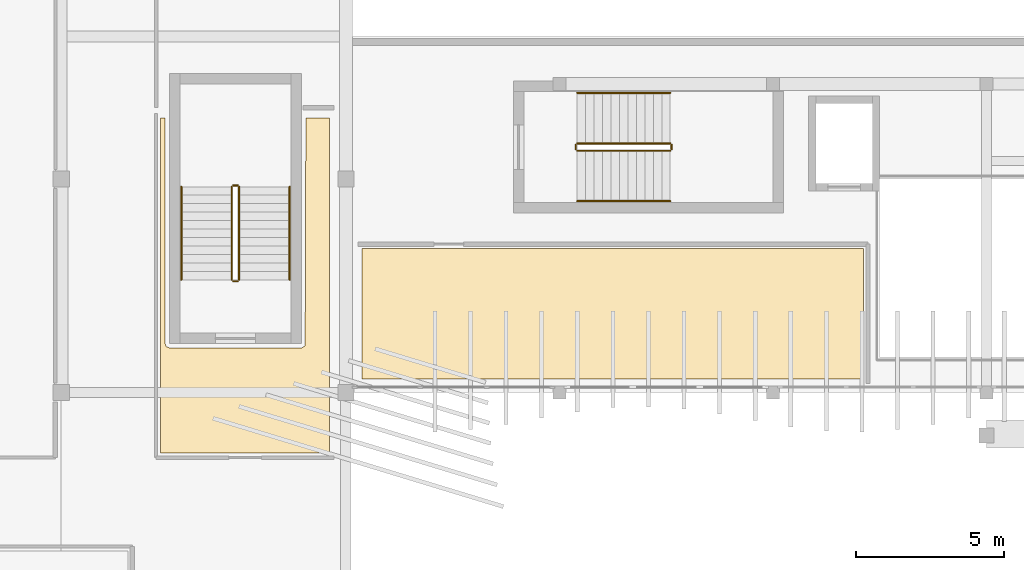
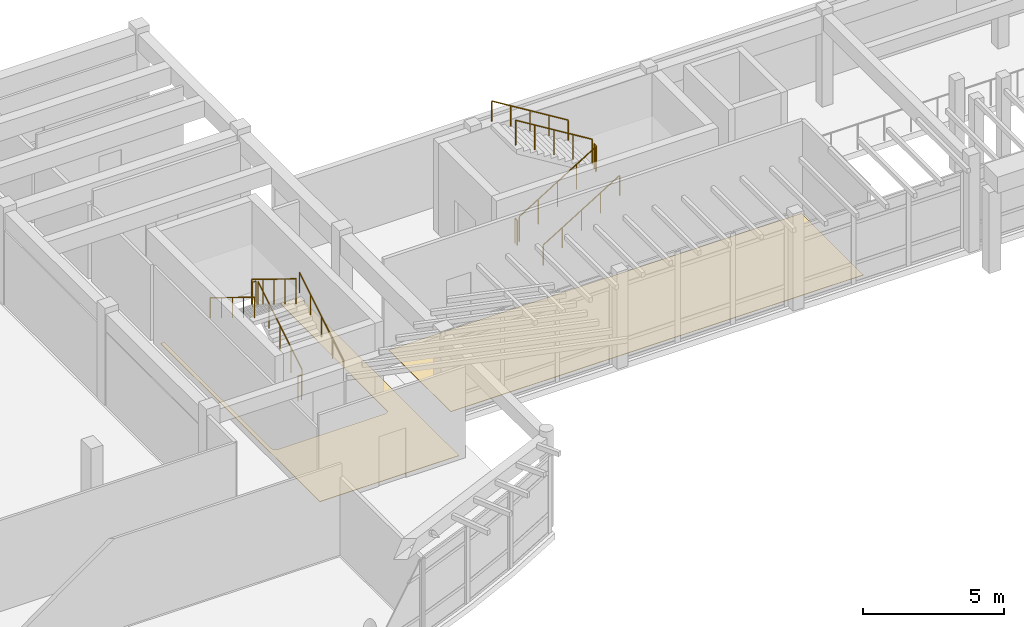
# One storey, part 52 of 60: 12 railings, 2 coverings.
"""IFC4 building model written with IfcOpenShell, lengths in metres."""

from ifc_helpers import new_model, si_unit, direction, frame, origin, origin_2d, place, context, subcontext, project, spatial, polyline, circle, outline, extrude, material, layer, layer_set, type_object, element, save


model = new_model("IFC4")

# Units and contexts
model_context = context("Model", 3, precision=1e-05, world=origin(), true_north=direction((0.0, 1.0)))
body_context = subcontext(model_context, "Body", "Model", "MODEL_VIEW")
ifc_project = project(units=[si_unit("LENGTHUNIT", "METRE"), si_unit("AREAUNIT", "SQUARE_METRE"), si_unit("VOLUMEUNIT", "CUBIC_METRE"), si_unit("PLANEANGLEUNIT", "RADIAN"), si_unit("MASSUNIT", "GRAM", prefix="KILO")], contexts=[model_context])

# Site, building, storey
site_placement = place(None, origin())
site = spatial("IfcSite", under=ifc_project, at=site_placement, CompositionType="ELEMENT")
building_placement = place(site_placement, origin())
building = spatial("IfcBuilding", under=site, at=building_placement, Name="Brisavento Harbour Community Centre", CompositionType="ELEMENT")
storey_placement = place(building_placement, frame((0.0, 0.0, 4.5)))
storey = spatial("IfcBuildingStorey", under=building, at=storey_placement, Name="L01", CompositionType="ELEMENT", Elevation=4.5)

# Coverings
ifc_material_1 = material(Name="Polished marine terrazzo tile", Category="other")
ifc_layer = layer(ifc_material_1, 0.02001953125, Name="Polished marine terrazzo tile")
ifc_layer_set = layer_set([ifc_layer], Name="Polished marine terrazzo tile")
covering_type = type_object("IfcCoveringType", Name="COV-FLR-TRZ", PredefinedType="FLOORING", material=ifc_layer_set)
covering_1_placement = place(storey_placement, origin())
element("IfcCovering", 1, at=covering_1_placement, inside=storey, type_object=covering_type, Name="L01 Choir Robing and Warm-Up Room terrazzo flooring", PredefinedType="FLOORING", context=body_context, shape_type="SweptSolid", body=[
    extrude(outline(polyline([(49.85009765625, 12.35009765625), (49.85009765625, 23.64990234375), (49.050048828125, 23.64990234375), (49.024658203125, 15.966796875), (48.89990234375, 15.89990234375), (44.449951171875, 15.89990234375), (44.343994140625, 15.94384765625), (44.300048828125, 16.050048828125), (44.300048828125, 23.64990234375), (44.14990234375, 23.64990234375), (44.14990234375, 12.35009765625), (49.85009765625, 12.35009765625)])), origin(), (0.0, 0.0, 1.0), 0.02001953125),
])
covering_2_placement = place(storey_placement, origin())
element("IfcCovering", 2, at=covering_2_placement, inside=storey, type_object=covering_type, Name="L01 Upper Entrance Gallery Lounge terrazzo flooring", PredefinedType="FLOORING", context=body_context, shape_type="SweptSolid", body=[
    extrude(outline(polyline([(67.85009765625, 14.85009765625), (67.85009765625, 19.25), (50.949951171875, 19.25), (50.949951171875, 14.85009765625), (67.85009765625, 14.85009765625)])), origin(), (0.0, 0.0, 1.0), 0.02001953125),
])

# Railings
ifc_material_2 = material(Name="Stainless steel 1.4401", Category="steel")
railing_type_1 = type_object("IfcRailingType", Name="RL-ST-GUARD", PredefinedType="GUARDRAIL", material=ifc_material_2)
railing_1_placement = place(storey_placement, frame((46.800048828125, 18.199951171875, 0.175048828125)))
element("IfcRailing", 3, at=railing_1_placement, inside=storey, type_object=railing_type_1, Name="L01 ST-02 stair guard 1", PredefinedType="GUARDRAIL", context=body_context, shape_type="SweptSolid", body=[
    extrude(circle(Radius=0.02392578125, at=origin_2d()), frame((0.0, 0.0, 1.076171875), z_axis=(0.0, 0.852166034122, 0.523271488128), x_axis=(-1.0, 0.0, 0.0)), (0.0, 0.0, 1.0), 3.678955078125),
    extrude(circle(Radius=0.02099609375, at=origin_2d()), origin(), (0.0, 0.0, 1.0), 1.052001953125),
    extrude(circle(Radius=0.02099609375, at=origin_2d()), frame((0.0, 0.78369140625, 0.481201171875)), (0.0, 0.0, 1.0), 1.052001953125),
    extrude(circle(Radius=0.02099609375, at=origin_2d()), frame((0.0, 1.5673828125, 0.96240234375)), (0.0, 0.0, 1.0), 1.052001953125),
    extrude(circle(Radius=0.02099609375, at=origin_2d()), frame((0.0, 2.351318359375, 1.44384765625)), (0.0, 0.0, 1.0), 1.052001953125),
    extrude(circle(Radius=0.02099609375, at=origin_2d()), frame((0.0, 3.135009765625, 1.925048828125)), (0.0, 0.0, 1.0), 1.052001953125),
])
railing_2_placement = place(storey_placement, frame((46.75, 21.385009765625, 2.10009765625)))
element("IfcRailing", 4, at=railing_2_placement, inside=storey, type_object=railing_type_1, Name="L01 ST-02 stair guard 2", PredefinedType="GUARDRAIL", context=body_context, shape_type="SweptSolid", body=[
    extrude(circle(Radius=0.02392578125, at=origin_2d()), frame((0.0, 0.0, 1.076171875), z_axis=(-1.0, 0.0, 0.0), x_axis=(0.0, -1.0, 0.0)), (0.0, 0.0, 1.0), 0.14990234375),
    extrude(circle(Radius=0.02099609375, at=origin_2d()), origin(), (0.0, 0.0, 1.0), 1.052001953125),
    extrude(circle(Radius=0.02099609375, at=origin_2d()), frame((-0.14990234375, 0.0, 0.0)), (0.0, 0.0, 1.0), 1.052001953125),
])
railing_3_placement = place(storey_placement, frame((46.550048828125, 21.3349609375, 2.27490234375)))
element("IfcRailing", 5, at=railing_3_placement, inside=storey, type_object=railing_type_1, Name="L01 ST-02 stair guard 3", PredefinedType="GUARDRAIL", context=body_context, shape_type="SweptSolid", body=[
    extrude(circle(Radius=0.02392578125, at=origin_2d()), frame((0.0, 0.0, 1.076171875), z_axis=(0.0, -0.852166034122, 0.523271488128), x_axis=(1.0, 0.0, 0.0)), (0.0, 0.0, 1.0), 3.678955078125),
    extrude(circle(Radius=0.02099609375, at=origin_2d()), origin(), (0.0, 0.0, 1.0), 1.052001953125),
    extrude(circle(Radius=0.02099609375, at=origin_2d()), frame((0.0, -0.78369140625, 0.481201171875)), (0.0, 0.0, 1.0), 1.052001953125),
    extrude(circle(Radius=0.02099609375, at=origin_2d()), frame((0.0, -1.5673828125, 0.96240234375)), (0.0, 0.0, 1.0), 1.052001953125),
    extrude(circle(Radius=0.02099609375, at=origin_2d()), frame((0.0, -2.351318359375, 1.44384765625)), (0.0, 0.0, 1.0), 1.052001953125),
    extrude(circle(Radius=0.02099609375, at=origin_2d()), frame((0.0, -3.135009765625, 1.925048828125)), (0.0, 0.0, 1.0), 1.052001953125),
])
railing_4_placement = place(storey_placement, frame((46.75, 18.14990234375, 0.0)))
element("IfcRailing", 6, at=railing_4_placement, inside=storey, type_object=railing_type_1, Name="L01 ST-02 stair guard 4", PredefinedType="GUARDRAIL", context=body_context, shape_type="SweptSolid", body=[
    extrude(circle(Radius=0.02392578125, at=origin_2d()), frame((0.0, 0.0, 1.076171875), z_axis=(-1.0, 0.0, 0.0), x_axis=(0.0, -1.0, 0.0)), (0.0, 0.0, 1.0), 0.14990234375),
    extrude(circle(Radius=0.02099609375, at=origin_2d()), origin(), (0.0, 0.0, 1.0), 1.052001953125),
    extrude(circle(Radius=0.02099609375, at=origin_2d()), frame((-0.14990234375, 0.0, 0.0)), (0.0, 0.0, 1.0), 1.052001953125),
])
railing_5_placement = place(storey_placement, frame((58.199951171875, 22.550048828125, 0.175048828125)))
element("IfcRailing", 7, at=railing_5_placement, inside=storey, type_object=railing_type_1, Name="L01 ST-03 stair guard 1", PredefinedType="GUARDRAIL", context=body_context, shape_type="SweptSolid", body=[
    extrude(circle(Radius=0.02392578125, at=origin_2d()), frame((0.0, 0.0, 1.076171875), z_axis=(0.852166034122, 0.0, 0.523271488128), x_axis=(0.0, 1.0, 0.0)), (0.0, 0.0, 1.0), 3.678955078125),
    extrude(circle(Radius=0.02099609375, at=origin_2d()), origin(), (0.0, 0.0, 1.0), 1.052001953125),
    extrude(circle(Radius=0.02099609375, at=origin_2d()), frame((0.78369140625, 0.0, 0.481201171875)), (0.0, 0.0, 1.0), 1.052001953125),
    extrude(circle(Radius=0.02099609375, at=origin_2d()), frame((1.5673828125, 0.0, 0.96240234375)), (0.0, 0.0, 1.0), 1.052001953125),
    extrude(circle(Radius=0.02099609375, at=origin_2d()), frame((2.351318359375, 0.0, 1.44384765625)), (0.0, 0.0, 1.0), 1.052001953125),
    extrude(circle(Radius=0.02099609375, at=origin_2d()), frame((3.135009765625, 0.0, 1.925048828125)), (0.0, 0.0, 1.0), 1.052001953125),
])
railing_6_placement = place(storey_placement, frame((61.385009765625, 22.60009765625, 2.10009765625)))
element("IfcRailing", 8, at=railing_6_placement, inside=storey, type_object=railing_type_1, Name="L01 ST-03 stair guard 2", PredefinedType="GUARDRAIL", context=body_context, shape_type="SweptSolid", body=[
    extrude(circle(Radius=0.02392578125, at=origin_2d()), frame((0.0, 0.0, 1.076171875), z_axis=(0.0, 1.0, 0.0), x_axis=(-1.0, 0.0, 0.0)), (0.0, 0.0, 1.0), 0.14990234375),
    extrude(circle(Radius=0.02099609375, at=origin_2d()), origin(), (0.0, 0.0, 1.0), 1.052001953125),
    extrude(circle(Radius=0.02099609375, at=origin_2d()), frame((0.0, 0.14990234375, 0.0)), (0.0, 0.0, 1.0), 1.052001953125),
])
railing_7_placement = place(storey_placement, frame((61.3349609375, 22.800048828125, 2.27490234375)))
element("IfcRailing", 9, at=railing_7_placement, inside=storey, type_object=railing_type_1, Name="L01 ST-03 stair guard 3", PredefinedType="GUARDRAIL", context=body_context, shape_type="SweptSolid", body=[
    extrude(circle(Radius=0.02392578125, at=origin_2d()), frame((0.0, 0.0, 1.076171875), z_axis=(-0.852166034122, 0.0, 0.523271488128), x_axis=(0.0, -1.0, 0.0)), (0.0, 0.0, 1.0), 3.678955078125),
    extrude(circle(Radius=0.02099609375, at=origin_2d()), origin(), (0.0, 0.0, 1.0), 1.052001953125),
    extrude(circle(Radius=0.02099609375, at=origin_2d()), frame((-0.78369140625, 0.0, 0.481201171875)), (0.0, 0.0, 1.0), 1.052001953125),
    extrude(circle(Radius=0.02099609375, at=origin_2d()), frame((-1.5673828125, 0.0, 0.96240234375)), (0.0, 0.0, 1.0), 1.052001953125),
    extrude(circle(Radius=0.02099609375, at=origin_2d()), frame((-2.351318359375, 0.0, 1.44384765625)), (0.0, 0.0, 1.0), 1.052001953125),
    extrude(circle(Radius=0.02099609375, at=origin_2d()), frame((-3.135009765625, 0.0, 1.925048828125)), (0.0, 0.0, 1.0), 1.052001953125),
])
railing_8_placement = place(storey_placement, frame((58.14990234375, 22.60009765625, 0.0)))
element("IfcRailing", 10, at=railing_8_placement, inside=storey, type_object=railing_type_1, Name="L01 ST-03 stair guard 4", PredefinedType="GUARDRAIL", context=body_context, shape_type="SweptSolid", body=[
    extrude(circle(Radius=0.02392578125, at=origin_2d()), frame((0.0, 0.0, 1.076171875), z_axis=(0.0, 1.0, 0.0), x_axis=(-1.0, 0.0, 0.0)), (0.0, 0.0, 1.0), 0.14990234375),
    extrude(circle(Radius=0.02099609375, at=origin_2d()), origin(), (0.0, 0.0, 1.0), 1.052001953125),
    extrude(circle(Radius=0.02099609375, at=origin_2d()), frame((0.0, 0.14990234375, 0.0)), (0.0, 0.0, 1.0), 1.052001953125),
])
railing_type_2 = type_object("IfcRailingType", Name="RL-ST-HAND", PredefinedType="HANDRAIL", material=ifc_material_2)
railing_9_placement = place(storey_placement, frame((48.5, 18.199951171875, 0.175048828125)))
element("IfcRailing", 11, at=railing_9_placement, inside=storey, type_object=railing_type_2, Name="L01 ST-02 stair handrail 1", PredefinedType="HANDRAIL", context=body_context, shape_type="SweptSolid", body=[
    extrude(circle(Radius=0.02392578125, at=origin_2d()), frame((0.0, 0.0, 0.8759765625), z_axis=(0.0, 0.852166034122, 0.523271488128), x_axis=(-1.0, 0.0, 0.0)), (0.0, 0.0, 1.0), 3.678955078125),
    extrude(circle(Radius=0.02099609375, at=origin_2d()), origin(), (0.0, 0.0, 1.0), 0.851806640625),
    extrude(circle(Radius=0.02099609375, at=origin_2d()), frame((0.0, 0.78369140625, 0.481201171875)), (0.0, 0.0, 1.0), 0.851806640625),
    extrude(circle(Radius=0.02099609375, at=origin_2d()), frame((0.0, 1.5673828125, 0.96240234375)), (0.0, 0.0, 1.0), 0.851806640625),
    extrude(circle(Radius=0.02099609375, at=origin_2d()), frame((0.0, 2.351318359375, 1.44384765625)), (0.0, 0.0, 1.0), 0.851806640625),
    extrude(circle(Radius=0.02099609375, at=origin_2d()), frame((0.0, 3.135009765625, 1.925048828125)), (0.0, 0.0, 1.0), 0.851806640625),
])
railing_10_placement = place(storey_placement, frame((44.85009765625, 21.3349609375, 2.27490234375)))
element("IfcRailing", 12, at=railing_10_placement, inside=storey, type_object=railing_type_2, Name="L01 ST-02 stair handrail 2", PredefinedType="HANDRAIL", context=body_context, shape_type="SweptSolid", body=[
    extrude(circle(Radius=0.02392578125, at=origin_2d()), frame((0.0, 0.0, 0.8759765625), z_axis=(0.0, -0.852166034122, 0.523271488128), x_axis=(1.0, 0.0, 0.0)), (0.0, 0.0, 1.0), 3.678955078125),
    extrude(circle(Radius=0.02099609375, at=origin_2d()), origin(), (0.0, 0.0, 1.0), 0.851806640625),
    extrude(circle(Radius=0.02099609375, at=origin_2d()), frame((0.0, -0.78369140625, 0.481201171875)), (0.0, 0.0, 1.0), 0.851806640625),
    extrude(circle(Radius=0.02099609375, at=origin_2d()), frame((0.0, -1.5673828125, 0.96240234375)), (0.0, 0.0, 1.0), 0.851806640625),
    extrude(circle(Radius=0.02099609375, at=origin_2d()), frame((0.0, -2.351318359375, 1.44384765625)), (0.0, 0.0, 1.0), 0.851806640625),
    extrude(circle(Radius=0.02099609375, at=origin_2d()), frame((0.0, -3.135009765625, 1.925048828125)), (0.0, 0.0, 1.0), 0.851806640625),
])
railing_11_placement = place(storey_placement, frame((58.199951171875, 20.85009765625, 0.175048828125)))
element("IfcRailing", 13, at=railing_11_placement, inside=storey, type_object=railing_type_2, Name="L01 ST-03 stair handrail 1", PredefinedType="HANDRAIL", context=body_context, shape_type="SweptSolid", body=[
    extrude(circle(Radius=0.02392578125, at=origin_2d()), frame((0.0, 0.0, 0.8759765625), z_axis=(0.852166034122, 0.0, 0.523271488128), x_axis=(0.0, 1.0, 0.0)), (0.0, 0.0, 1.0), 3.678955078125),
    extrude(circle(Radius=0.02099609375, at=origin_2d()), origin(), (0.0, 0.0, 1.0), 0.851806640625),
    extrude(circle(Radius=0.02099609375, at=origin_2d()), frame((0.78369140625, 0.0, 0.481201171875)), (0.0, 0.0, 1.0), 0.851806640625),
    extrude(circle(Radius=0.02099609375, at=origin_2d()), frame((1.5673828125, 0.0, 0.96240234375)), (0.0, 0.0, 1.0), 0.851806640625),
    extrude(circle(Radius=0.02099609375, at=origin_2d()), frame((2.351318359375, 0.0, 1.44384765625)), (0.0, 0.0, 1.0), 0.851806640625),
    extrude(circle(Radius=0.02099609375, at=origin_2d()), frame((3.135009765625, 0.0, 1.925048828125)), (0.0, 0.0, 1.0), 0.851806640625),
])
railing_12_placement = place(storey_placement, frame((61.3349609375, 24.5, 2.27490234375)))
element("IfcRailing", 14, at=railing_12_placement, inside=storey, type_object=railing_type_2, Name="L01 ST-03 stair handrail 2", PredefinedType="HANDRAIL", context=body_context, shape_type="SweptSolid", body=[
    extrude(circle(Radius=0.02392578125, at=origin_2d()), frame((0.0, 0.0, 0.8759765625), z_axis=(-0.852166034122, 0.0, 0.523271488128), x_axis=(0.0, -1.0, 0.0)), (0.0, 0.0, 1.0), 3.678955078125),
    extrude(circle(Radius=0.02099609375, at=origin_2d()), origin(), (0.0, 0.0, 1.0), 0.851806640625),
    extrude(circle(Radius=0.02099609375, at=origin_2d()), frame((-0.78369140625, 0.0, 0.481201171875)), (0.0, 0.0, 1.0), 0.851806640625),
    extrude(circle(Radius=0.02099609375, at=origin_2d()), frame((-1.5673828125, 0.0, 0.96240234375)), (0.0, 0.0, 1.0), 0.851806640625),
    extrude(circle(Radius=0.02099609375, at=origin_2d()), frame((-2.351318359375, 0.0, 1.44384765625)), (0.0, 0.0, 1.0), 0.851806640625),
    extrude(circle(Radius=0.02099609375, at=origin_2d()), frame((-3.135009765625, 0.0, 1.925048828125)), (0.0, 0.0, 1.0), 0.851806640625),
])

save(model, "model.ifc")
